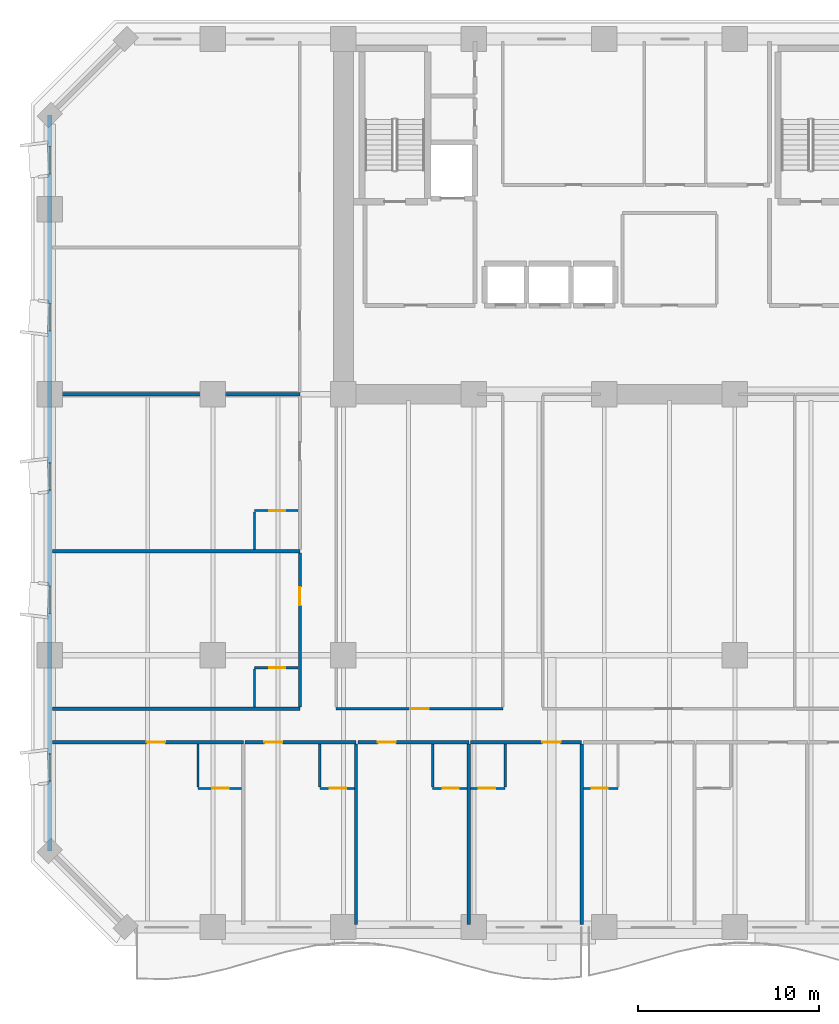
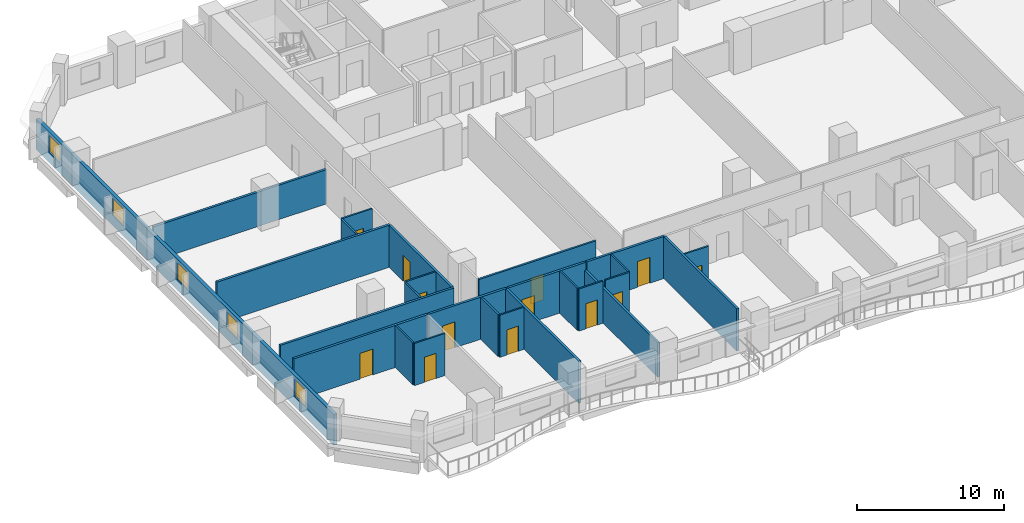
# One storey, part 4 of 15: 26 walls, 13 doors, 5 windows, 18 openings.
"""IFC4 building model written with IfcOpenShell, lengths in metres."""

import ifcopenshell
import ifcopenshell.guid

model = None  # the IFC model being written
_history = None  # IfcOwnerHistory: only IFC2X3 demands one
_inside = {}  # id of a spatial element -> (the spatial element, [elements in it])
_under = {}  # id of a project, library or spatial element -> (it, [spatial elements below it])
_declared = {}  # id of a project -> (the project, [libraries it declares])
_typed = {}  # id of a type object -> (the type object, [elements of that type])
_made_of = {}  # id of a material, layer set ... -> (it, [elements and type objects made of it])


def new_model(schema):
    """Start an empty IFC model of exactly this schema.

    Asked for "IFC4X3", IfcOpenShell would pick the latest addendum, in which some entities
    have other attributes; the version numbers below select the first issue.
    IFC2X3 requires an IfcOwnerHistory on every rooted entity: one is made here for all.
    """
    global model, _history
    if schema == "IFC4X3":
        model = ifcopenshell.file(schema_version=(4, 3, 0, 0))
    else:
        model = ifcopenshell.file(schema=schema)
    _inside.clear()
    _under.clear()
    _declared.clear()
    _typed.clear()
    _made_of.clear()
    _history = None
    if model.schema == "IFC2X3":
        org = make("IfcOrganization", Name="unknown")
        user = make(
            "IfcPersonAndOrganization",
            ThePerson=make("IfcPerson", FamilyName="unknown"),
            TheOrganization=org,
        )
        app = make(
            "IfcApplication",
            ApplicationDeveloper=org,
            Version="unknown",
            ApplicationFullName="unknown",
            ApplicationIdentifier="unknown",
        )
        _history = make(
            "IfcOwnerHistory",
            OwningUser=user,
            OwningApplication=app,
            ChangeAction="ADDED",
            CreationDate=0,
        )
    return model


def make(cls, **values):
    """One entity of the class cls with the attributes given. An attribute that is None is left unset."""
    return model.create_entity(
        cls, **{name: value for name, value in values.items() if value is not None}
    )


def rooted(cls, **values):
    """An entity with a GlobalId (a new one), such as an element, a storey or a relation."""
    return make(cls, GlobalId=ifcopenshell.guid.new(), OwnerHistory=_history, **values)


def si_unit(unit_type, name, prefix=None):
    """IfcSIUnit, for example si_unit("LENGTHUNIT", "METRE", prefix="MILLI")."""
    return make("IfcSIUnit", UnitType=unit_type, Prefix=prefix, Name=name)


def assignment(units):
    """IfcUnitAssignment: the units of a project."""
    return None if units is None else make("IfcUnitAssignment", Units=units)


def point(xyz):
    """IfcCartesianPoint."""
    return None if xyz is None else make("IfcCartesianPoint", Coordinates=xyz)


def direction(xyz):
    """IfcDirection."""
    return None if xyz is None else make("IfcDirection", DirectionRatios=xyz)


def frame(location, z_axis=None, x_axis=None):
    """IfcAxis2Placement3D, a coordinate frame: its origin and axes. An axis left out is left unset."""
    return make(
        "IfcAxis2Placement3D",
        Location=point(location),
        Axis=direction(z_axis),
        RefDirection=direction(x_axis),
    )


def frame_2d(location, x_axis=None):
    """IfcAxis2Placement2D, a coordinate frame in the plane: its origin and x axis."""
    return make(
        "IfcAxis2Placement2D", Location=point(location), RefDirection=direction(x_axis)
    )


def origin():
    """The frame at (0, 0, 0) with its axes left unset."""
    return frame((0.0, 0.0, 0.0))


def place(relative_to, where):
    """IfcLocalPlacement: puts the frame where relative to a parent placement (None: the world)."""
    return make(
        "IfcLocalPlacement", PlacementRelTo=relative_to, RelativePlacement=where
    )


def context(
    kind, dimensions, precision=None, world=None, true_north=None, identifier=None
):
    """IfcGeometricRepresentationContext, for example the 3D "Model" context."""
    return make(
        "IfcGeometricRepresentationContext",
        ContextIdentifier=identifier,
        ContextType=kind,
        CoordinateSpaceDimension=dimensions,
        Precision=precision,
        WorldCoordinateSystem=world,
        TrueNorth=true_north,
    )


def subcontext(parent, identifier, kind, view, scale=None):
    """IfcGeometricRepresentationSubContext, for example "Body" below "Model"."""
    return make(
        "IfcGeometricRepresentationSubContext",
        ContextIdentifier=identifier,
        ContextType=kind,
        ParentContext=parent,
        TargetScale=scale,
        TargetView=view,
    )


def project(units=None, contexts=None):
    """IfcProject with its units and contexts."""
    return rooted(
        "IfcProject",
        Name="project",
        RepresentationContexts=contexts,
        UnitsInContext=assignment(units),
    )


def spatial(cls, under=None, at=None, **own):
    """A site, building, storey or space (cls), placed at a placement, below another one or the project."""
    s = rooted(cls, ObjectPlacement=at, **own)
    if under is not None:
        _under.setdefault(under.id(), (under, []))[1].append(s)
    return s


def profile(cls, at=None, kind="AREA", **sizes):
    """A parametric profile (cls). Its sizes go by their IFC names, for example OverallWidth=200.0."""
    return make(cls, ProfileType=kind, Position=at, **sizes)


def rectangle(**sizes):
    """IfcRectangleProfileDef."""
    return profile("IfcRectangleProfileDef", **sizes)


def extrude(swept, where, along, depth):
    """IfcExtrudedAreaSolid: the profile swept, set in the frame where, extruded along a direction by depth."""
    return make(
        "IfcExtrudedAreaSolid",
        SweptArea=swept,
        Position=where,
        ExtrudedDirection=direction(along),
        Depth=depth,
    )


def shape(context_of_items, identifier, shape_type, items):
    """IfcShapeRepresentation: the items that make up one representation, for example the "Body"."""
    return make(
        "IfcShapeRepresentation",
        ContextOfItems=context_of_items,
        RepresentationIdentifier=identifier,
        RepresentationType=shape_type,
        Items=items,
    )


def material(Name=None, Category=None):
    """IfcMaterial."""
    return make("IfcMaterial", Name=Name, Category=Category)


def layer(
    of_material, thickness, ventilated=None, Name=None, Category=None, Priority=None
):
    """IfcMaterialLayer: one layer of a wall or slab, of a material (None: an air gap)."""
    return make(
        "IfcMaterialLayer",
        Material=of_material,
        LayerThickness=thickness,
        IsVentilated=ventilated,
        Name=Name,
        Category=Category,
        Priority=Priority,
    )


def layer_set(layers, Name=None):
    """IfcMaterialLayerSet."""
    return make("IfcMaterialLayerSet", MaterialLayers=layers, LayerSetName=Name)


def made_of(thing, what):
    """Note that an element or type object is made of a material, layer set ...; save() writes the relation."""
    if what is not None:
        _made_of.setdefault(what.id(), (what, []))[1].append(thing)
    return thing


def type_object(cls, material=None, **own):
    """A type object (cls), such as IfcWallType, which elements share."""
    return made_of(rooted(cls, **own), material)


def element(
    cls,
    number,
    at=None,
    inside=None,
    cuts=None,
    type_object=None,
    material=None,
    context=None,
    identifier="Body",
    shape_type=None,
    held_by="IfcProductDefinitionShape",
    body=None,
    shapes=None,
    **own,
):
    """One element of the class cls, such as IfcWall. Its Tag is "e" and its number.

    at: its placement. inside: the storey or other place that contains it. cuts: it is an
    opening in that element (IfcRelVoidsElement). A single representation is given by context,
    identifier, shape_type and body (its items); several are given by shapes. held_by: the class
    of the entity that holds the representations. save() writes the other relations.
    """
    e = rooted(cls, Tag="e%d" % number, ObjectPlacement=at, **own)
    if body is not None:
        shapes = [shape(context, identifier, shape_type, body)]
    if shapes is not None:
        e.Representation = make(held_by, Representations=shapes)
    if inside is not None:
        _inside.setdefault(inside.id(), (inside, []))[1].append(e)
    if cuts is not None:
        rooted(
            "IfcRelVoidsElement", RelatingBuildingElement=cuts, RelatedOpeningElement=e
        )
    if type_object is not None:
        _typed.setdefault(type_object.id(), (type_object, []))[1].append(e)
    return made_of(e, material)


def fill(opening, filler):
    """IfcRelFillsElement: the door or window that sits in an opening."""
    return rooted(
        "IfcRelFillsElement",
        RelatingOpeningElement=opening,
        RelatedBuildingElement=filler,
    )


def aggregate(whole, parts):
    """IfcRelAggregates: a whole, such as a stair, and the parts it consists of."""
    return rooted("IfcRelAggregates", RelatingObject=whole, RelatedObjects=parts)


def save(model, path):
    """Write the relations noted so far, then the file.

    IfcRelAggregates (storeys below a building ...), IfcRelContainedInSpatialStructure (elements
    in a storey), IfcRelDefinesByType, IfcRelAssociatesMaterial and IfcRelDeclares: one each for
    every whole, place, type object, material and project.
    """
    for whole, parts in _under.values():
        aggregate(whole, parts)
    for where, things in _inside.values():
        rooted(
            "IfcRelContainedInSpatialStructure",
            RelatedElements=things,
            RelatingStructure=where,
        )
    for kind, things in _typed.values():
        rooted("IfcRelDefinesByType", RelatedObjects=things, RelatingType=kind)
    for what, things in _made_of.values():
        rooted("IfcRelAssociatesMaterial", RelatedObjects=things, RelatingMaterial=what)
    for by, libraries in _declared.values():
        rooted("IfcRelDeclares", RelatingContext=by, RelatedDefinitions=libraries)
    model.write(path)


model = new_model("IFC4")

# Units and contexts
model_context = context("Model", 3, precision=1e-05, world=origin(), true_north=direction((0.0, 1.0)))
body_context = subcontext(model_context, "Body", "Model", "MODEL_VIEW")
ifc_project = project(units=[si_unit("LENGTHUNIT", "METRE"), si_unit("AREAUNIT", "SQUARE_METRE"), si_unit("VOLUMEUNIT", "CUBIC_METRE"), si_unit("PLANEANGLEUNIT", "RADIAN"), si_unit("MASSUNIT", "GRAM", prefix="KILO")], contexts=[model_context])

# Site, building, storey
site_placement = place(None, origin())
site = spatial("IfcSite", under=ifc_project, at=site_placement, CompositionType="ELEMENT")
building_placement = place(site_placement, origin())
building = spatial("IfcBuilding", under=site, at=building_placement, Name="Kaelvorn Grand Hotel", CompositionType="ELEMENT")
storey_placement = place(building_placement, frame((0.0, 0.0, 46.39990234375)))
storey = spatial("IfcBuildingStorey", under=building, at=storey_placement, Name="L09", CompositionType="ELEMENT", Elevation=46.39990234375)

# Wall, openings, windows
ifc_material_1 = material(Name="Concrete C40/50", Category="concrete")
ifc_layer_1 = layer(ifc_material_1, 0.260009765625)
ifc_layer_set_1 = layer_set([ifc_layer_1], Name="Concrete C40/50")
wall_type_1 = type_object("IfcWallType", Name="WL-EXT-260-C40", PredefinedType="SOLIDWALL", material=ifc_layer_set_1)
wall_1_placement = place(storey_placement, frame((0.0, 44.800048828125, 0.0), z_axis=(0.0, 0.0, 1.0), x_axis=(0.0, -1.0, 0.0)))
wall_1 = element("IfcWall", 1, at=wall_1_placement, inside=storey, type_object=wall_type_1, Name="L09 Exterior Architectural Concrete Wall 07", PredefinedType="SOLIDWALL", context=body_context, shape_type="SweptSolid", body=[
    extrude(rectangle(XDim=40.60009765625, YDim=0.260009765625, at=frame_2d((20.300048828125, 0.0))), origin(), (0.0, 0.0, 1.0), 2.56005859375),
])
opening_1_placement = place(wall_1_placement, frame((35.25, 0.0, 0.85009765625)))
opening_1 = element("IfcOpeningElement", 2, at=opening_1_placement, cuts=wall_1, Name="Opening W10", PredefinedType="OPENING", context=body_context, shape_type="SweptSolid", body=[
    extrude(rectangle(XDim=1.5, YDim=1.39990234375, at=frame_2d((0.75, 0.699951171875))), frame((0.0, 0.14013671875, 0.0), z_axis=(0.0, -1.0, 0.0), x_axis=(1.0, 0.0, 0.0)), (0.0, 0.0, 1.0), 0.280029296875),
])
opening_2_placement = place(wall_1_placement, frame((25.985107421875, 0.0, 0.85009765625)))
opening_2 = element("IfcOpeningElement", 3, at=opening_2_placement, cuts=wall_1, Name="Opening W10", PredefinedType="OPENING", context=body_context, shape_type="SweptSolid", body=[
    extrude(rectangle(XDim=1.5, YDim=1.39990234375, at=frame_2d((0.75, 0.699951171875))), frame((0.0, 0.14013671875, 0.0), z_axis=(0.0, -1.0, 0.0), x_axis=(1.0, 0.0, 0.0)), (0.0, 0.0, 1.0), 0.280029296875),
])
opening_3_placement = place(wall_1_placement, frame((19.18505859375, 0.0, 0.85009765625)))
opening_3 = element("IfcOpeningElement", 4, at=opening_3_placement, cuts=wall_1, Name="Opening W10", PredefinedType="OPENING", context=body_context, shape_type="SweptSolid", body=[
    extrude(rectangle(XDim=1.5, YDim=1.39990234375, at=frame_2d((0.75, 0.699951171875))), frame((0.0, 0.14013671875, 0.0), z_axis=(0.0, -1.0, 0.0), x_axis=(1.0, 0.0, 0.0)), (0.0, 0.0, 1.0), 0.280029296875),
])
opening_4_placement = place(wall_1_placement, frame((10.39990234375, 0.0, 0.85009765625)))
opening_4 = element("IfcOpeningElement", 5, at=opening_4_placement, cuts=wall_1, Name="Opening W10", PredefinedType="OPENING", context=body_context, shape_type="SweptSolid", body=[
    extrude(rectangle(XDim=1.5, YDim=1.39990234375, at=frame_2d((0.75, 0.699951171875))), frame((0.0, 0.14013671875, 0.0), z_axis=(0.0, -1.0, 0.0), x_axis=(1.0, 0.0, 0.0)), (0.0, 0.0, 1.0), 0.280029296875),
])
opening_5_placement = place(wall_1_placement, frame((1.735107421875, 0.0, 0.85009765625)))
opening_5 = element("IfcOpeningElement", 6, at=opening_5_placement, cuts=wall_1, Name="Opening W10", PredefinedType="OPENING", context=body_context, shape_type="SweptSolid", body=[
    extrude(rectangle(XDim=1.5, YDim=1.39990234375, at=frame_2d((0.75, 0.699951171875))), frame((0.0, 0.14013671875, 0.0), z_axis=(0.0, -1.0, 0.0), x_axis=(1.0, 0.0, 0.0)), (0.0, 0.0, 1.0), 0.280029296875),
])
ifc_material_2 = material(Name="Laminated Low-E Glass", Category="glass")
window_type = type_object("IfcWindowType", Name="WIN-COR-1500x1400", PartitioningType="SINGLE_PANEL", PredefinedType="WINDOW", material=ifc_material_2)
window_1_placement = place(opening_1_placement, origin())
window_1 = element("IfcWindow", 7, at=window_1_placement, inside=storey, type_object=window_type, Name="L09 W Wing Tilted-Frame Ribbon Window W01", OverallHeight=1.39990234375, OverallWidth=1.5, PartitioningType="SINGLE_PANEL", PredefinedType="WINDOW", context=body_context, shape_type="SweptSolid", body=[
    extrude(rectangle(XDim=1.5, YDim=1.39990234375, at=frame_2d((0.75, 0.699951171875))), frame((0.0, 0.030029296875, 0.0), z_axis=(0.0, -1.0, 0.0), x_axis=(1.0, 0.0, 0.0)), (0.0, 0.0, 1.0), 0.06005859375),
])
fill(opening_1, window_1)
window_2_placement = place(opening_2_placement, origin())
window_2 = element("IfcWindow", 8, at=window_2_placement, inside=storey, type_object=window_type, Name="L09 W Wing Tilted-Frame Ribbon Window W02", OverallHeight=1.39990234375, OverallWidth=1.5, PartitioningType="SINGLE_PANEL", PredefinedType="WINDOW", context=body_context, shape_type="SweptSolid", body=[
    extrude(rectangle(XDim=1.5, YDim=1.39990234375, at=frame_2d((0.75, 0.699951171875))), frame((0.0, 0.030029296875, 0.0), z_axis=(0.0, -1.0, 0.0), x_axis=(1.0, 0.0, 0.0)), (0.0, 0.0, 1.0), 0.06005859375),
])
fill(opening_2, window_2)
window_3_placement = place(opening_3_placement, origin())
window_3 = element("IfcWindow", 9, at=window_3_placement, inside=storey, type_object=window_type, Name="L09 W Wing Tilted-Frame Ribbon Window W03", OverallHeight=1.39990234375, OverallWidth=1.5, PartitioningType="SINGLE_PANEL", PredefinedType="WINDOW", context=body_context, shape_type="SweptSolid", body=[
    extrude(rectangle(XDim=1.5, YDim=1.39990234375, at=frame_2d((0.75, 0.699951171875))), frame((0.0, 0.030029296875, 0.0), z_axis=(0.0, -1.0, 0.0), x_axis=(1.0, 0.0, 0.0)), (0.0, 0.0, 1.0), 0.06005859375),
])
fill(opening_3, window_3)
window_4_placement = place(opening_4_placement, origin())
window_4 = element("IfcWindow", 10, at=window_4_placement, inside=storey, type_object=window_type, Name="L09 W Wing Tilted-Frame Ribbon Window W04", OverallHeight=1.39990234375, OverallWidth=1.5, PartitioningType="SINGLE_PANEL", PredefinedType="WINDOW", context=body_context, shape_type="SweptSolid", body=[
    extrude(rectangle(XDim=1.5, YDim=1.39990234375, at=frame_2d((0.75, 0.699951171875))), frame((0.0, 0.030029296875, 0.0), z_axis=(0.0, -1.0, 0.0), x_axis=(1.0, 0.0, 0.0)), (0.0, 0.0, 1.0), 0.06005859375),
])
fill(opening_4, window_4)
window_5_placement = place(opening_5_placement, origin())
window_5 = element("IfcWindow", 11, at=window_5_placement, inside=storey, type_object=window_type, Name="L09 W Wing Tilted-Frame Ribbon Window W05", OverallHeight=1.39990234375, OverallWidth=1.5, PartitioningType="SINGLE_PANEL", PredefinedType="WINDOW", context=body_context, shape_type="SweptSolid", body=[
    extrude(rectangle(XDim=1.5, YDim=1.39990234375, at=frame_2d((0.75, 0.699951171875))), frame((0.0, 0.030029296875, 0.0), z_axis=(0.0, -1.0, 0.0), x_axis=(1.0, 0.0, 0.0)), (0.0, 0.0, 1.0), 0.06005859375),
])
fill(opening_5, window_5)

# Wall, opening, door
ifc_material_3 = material(Name="Moisture-Resistant Tile & Stud Board")
ifc_layer_2 = layer(ifc_material_3, 0.125)
ifc_layer_set_2 = layer_set([ifc_layer_2], Name="Moisture-Resistant Tile & Stud Board")
wall_type_2 = type_object("IfcWallType", Name="WL-PART-125-WET", PredefinedType="PARTITIONING", material=ifc_layer_set_2)
wall_2_placement = place(storey_placement, frame((8.1748046875, 7.64990234375, 0.0), z_axis=(0.0, 0.0, 1.0), x_axis=(1.0, 0.0, 0.0)))
wall_2 = element("IfcWall", 12, at=wall_2_placement, inside=storey, type_object=wall_type_2, Name="L09 En-suite Bathroom L09-01 S Partition", PredefinedType="PARTITIONING", context=body_context, shape_type="SweptSolid", body=[
    extrude(rectangle(XDim=2.405029296875, YDim=0.125, at=frame_2d((1.20263671875, 0.0))), origin(), (0.0, 0.0, 1.0), 3.510009765625),
])
opening_6_placement = place(wall_2_placement, frame((0.800048828125, 0.0, 0.0)))
opening_6 = element("IfcOpeningElement", 13, at=opening_6_placement, cuts=wall_2, Name="Opening DI4", PredefinedType="OPENING", context=body_context, shape_type="SweptSolid", body=[
    extrude(rectangle(XDim=0.89990234375, YDim=2.10009765625, at=frame_2d((0.449951171875, 1.050048828125))), frame((0.0, 0.072509765625, 0.0), z_axis=(0.0, -1.0, 0.0), x_axis=(1.0, 0.0, 0.0)), (0.0, 0.0, 1.0), 0.14501953125),
])
ifc_material_4 = material(Name="Timber Veneer Leaf", Category="wood")
door_type_1 = type_object("IfcDoorType", Name="DR-INT-BATH-900x2100", OperationType="NOTDEFINED", PredefinedType="DOOR", material=ifc_material_4)
door_1_placement = place(opening_6_placement, origin())
door_1 = element("IfcDoor", 14, at=door_1_placement, inside=storey, type_object=door_type_1, Name="L09 En-suite Bathroom L09-01 Door", OperationType="SINGLE_SWING_RIGHT", OverallHeight=2.10009765625, OverallWidth=0.89990234375, PredefinedType="DOOR", context=body_context, shape_type="SweptSolid", body=[
    extrude(rectangle(XDim=0.89990234375, YDim=2.10009765625, at=frame_2d((0.449951171875, 1.050048828125))), frame((0.0, 0.02490234375, 0.0), z_axis=(0.0, -1.0, 0.0), x_axis=(1.0, 0.0, 0.0)), (0.0, 0.0, 1.0), 0.050048828125),
])
fill(opening_6, door_1)

# Wall
wall_3_placement = place(storey_placement, frame((8.1748046875, 7.717529296875, 0.0), z_axis=(0.0, 0.0, 1.0), x_axis=(0.0, 1.0, 0.0)))
element("IfcWall", 15, at=wall_3_placement, inside=storey, type_object=wall_type_2, Name="L09 En-suite Bathroom L09-01 W Partition", PredefinedType="PARTITIONING", context=body_context, shape_type="SweptSolid", body=[
    extrude(rectangle(XDim=2.387451171875, YDim=0.125, at=frame_2d((1.19384765625, 0.0))), origin(), (0.0, 0.0, 1.0), 3.510009765625),
])

# Wall, opening, door
wall_4_placement = place(storey_placement, frame((14.899658203125, 7.64990234375, 0.0), z_axis=(0.0, 0.0, 1.0), x_axis=(1.0, 0.0, 0.0)))
wall_4 = element("IfcWall", 16, at=wall_4_placement, inside=storey, type_object=wall_type_2, Name="L09 En-suite Bathroom L09-02 S Partition", PredefinedType="PARTITIONING", context=body_context, shape_type="SweptSolid", body=[
    extrude(rectangle(XDim=1.905029296875, YDim=0.125, at=frame_2d((0.95263671875, 0.0))), origin(), (0.0, 0.0, 1.0), 3.510009765625),
])
opening_7_placement = place(wall_4_placement, frame((0.550048828125, 0.0, 0.0)))
opening_7 = element("IfcOpeningElement", 17, at=opening_7_placement, cuts=wall_4, Name="Opening DI4", PredefinedType="OPENING", context=body_context, shape_type="SweptSolid", body=[
    extrude(rectangle(XDim=0.89990234375, YDim=2.10009765625, at=frame_2d((0.449951171875, 1.050048828125))), frame((0.0, 0.072509765625, 0.0), z_axis=(0.0, -1.0, 0.0), x_axis=(1.0, 0.0, 0.0)), (0.0, 0.0, 1.0), 0.14501953125),
])
door_2_placement = place(opening_7_placement, origin())
door_2 = element("IfcDoor", 18, at=door_2_placement, inside=storey, type_object=door_type_1, Name="L09 En-suite Bathroom L09-02 Door", OperationType="SINGLE_SWING_RIGHT", OverallHeight=2.10009765625, OverallWidth=0.89990234375, PredefinedType="DOOR", context=body_context, shape_type="SweptSolid", body=[
    extrude(rectangle(XDim=0.89990234375, YDim=2.10009765625, at=frame_2d((0.449951171875, 1.050048828125))), frame((0.0, 0.02490234375, 0.0), z_axis=(0.0, -1.0, 0.0), x_axis=(1.0, 0.0, 0.0)), (0.0, 0.0, 1.0), 0.050048828125),
])
fill(opening_7, door_2)

# Wall
wall_5_placement = place(storey_placement, frame((14.899658203125, 7.717529296875, 0.0), z_axis=(0.0, 0.0, 1.0), x_axis=(0.0, 1.0, 0.0)))
element("IfcWall", 19, at=wall_5_placement, inside=storey, type_object=wall_type_2, Name="L09 En-suite Bathroom L09-02 W Partition", PredefinedType="PARTITIONING", context=body_context, shape_type="SweptSolid", body=[
    extrude(rectangle(XDim=2.387451171875, YDim=0.125, at=frame_2d((1.19384765625, 0.0))), origin(), (0.0, 0.0, 1.0), 3.510009765625),
])

# Wall, opening, door
wall_6_placement = place(storey_placement, frame((21.12451171875, 7.64990234375, 0.0), z_axis=(0.0, 0.0, 1.0), x_axis=(1.0, 0.0, 0.0)))
wall_6 = element("IfcWall", 20, at=wall_6_placement, inside=storey, type_object=wall_type_2, Name="L09 En-suite Bathroom L09-03 S Partition", PredefinedType="PARTITIONING", context=body_context, shape_type="SweptSolid", body=[
    extrude(rectangle(XDim=1.905029296875, YDim=0.125, at=frame_2d((0.95263671875, 0.0))), origin(), (0.0, 0.0, 1.0), 3.510009765625),
])
opening_8_placement = place(wall_6_placement, frame((0.550048828125, 0.0, 0.0)))
opening_8 = element("IfcOpeningElement", 21, at=opening_8_placement, cuts=wall_6, Name="Opening DI4", PredefinedType="OPENING", context=body_context, shape_type="SweptSolid", body=[
    extrude(rectangle(XDim=0.89990234375, YDim=2.10009765625, at=frame_2d((0.449951171875, 1.050048828125))), frame((0.0, 0.072509765625, 0.0), z_axis=(0.0, -1.0, 0.0), x_axis=(1.0, 0.0, 0.0)), (0.0, 0.0, 1.0), 0.14501953125),
])
door_3_placement = place(opening_8_placement, origin())
door_3 = element("IfcDoor", 22, at=door_3_placement, inside=storey, type_object=door_type_1, Name="L09 En-suite Bathroom L09-03 Door", OperationType="SINGLE_SWING_RIGHT", OverallHeight=2.10009765625, OverallWidth=0.89990234375, PredefinedType="DOOR", context=body_context, shape_type="SweptSolid", body=[
    extrude(rectangle(XDim=0.89990234375, YDim=2.10009765625, at=frame_2d((0.449951171875, 1.050048828125))), frame((0.0, 0.02490234375, 0.0), z_axis=(0.0, -1.0, 0.0), x_axis=(1.0, 0.0, 0.0)), (0.0, 0.0, 1.0), 0.050048828125),
])
fill(opening_8, door_3)

# Wall
wall_7_placement = place(storey_placement, frame((21.12451171875, 7.717529296875, 0.0), z_axis=(0.0, 0.0, 1.0), x_axis=(0.0, 1.0, 0.0)))
element("IfcWall", 23, at=wall_7_placement, inside=storey, type_object=wall_type_2, Name="L09 En-suite Bathroom L09-03 W Partition", PredefinedType="PARTITIONING", context=body_context, shape_type="SweptSolid", body=[
    extrude(rectangle(XDim=2.387451171875, YDim=0.125, at=frame_2d((1.19384765625, 0.0))), origin(), (0.0, 0.0, 1.0), 3.510009765625),
])

# Wall, opening, door
wall_8_placement = place(storey_placement, frame((23.219482421875, 7.64990234375, 0.0), z_axis=(0.0, 0.0, 1.0), x_axis=(1.0, 0.0, 0.0)))
wall_8 = element("IfcWall", 24, at=wall_8_placement, inside=storey, type_object=wall_type_2, Name="L09 En-suite Bathroom L09-04 S Partition", PredefinedType="PARTITIONING", context=body_context, shape_type="SweptSolid", body=[
    extrude(rectangle(XDim=1.905029296875, YDim=0.125, at=frame_2d((0.95263671875, 0.0))), origin(), (0.0, 0.0, 1.0), 3.510009765625),
])
opening_9_placement = place(wall_8_placement, frame((0.455078125, 0.0, 0.0)))
opening_9 = element("IfcOpeningElement", 25, at=opening_9_placement, cuts=wall_8, Name="Opening DI4", PredefinedType="OPENING", context=body_context, shape_type="SweptSolid", body=[
    extrude(rectangle(XDim=0.89990234375, YDim=2.10009765625, at=frame_2d((0.449951171875, 1.050048828125))), frame((0.0, 0.072509765625, 0.0), z_axis=(0.0, -1.0, 0.0), x_axis=(1.0, 0.0, 0.0)), (0.0, 0.0, 1.0), 0.14501953125),
])
door_4_placement = place(opening_9_placement, origin())
door_4 = element("IfcDoor", 26, at=door_4_placement, inside=storey, type_object=door_type_1, Name="L09 En-suite Bathroom L09-04 Door", OperationType="SINGLE_SWING_RIGHT", OverallHeight=2.10009765625, OverallWidth=0.89990234375, PredefinedType="DOOR", context=body_context, shape_type="SweptSolid", body=[
    extrude(rectangle(XDim=0.89990234375, YDim=2.10009765625, at=frame_2d((0.449951171875, 1.050048828125))), frame((0.0, 0.02490234375, 0.0), z_axis=(0.0, -1.0, 0.0), x_axis=(1.0, 0.0, 0.0)), (0.0, 0.0, 1.0), 0.050048828125),
])
fill(opening_9, door_4)

# Wall
wall_9_placement = place(storey_placement, frame((25.12451171875, 7.717529296875, 0.0), z_axis=(0.0, 0.0, 1.0), x_axis=(0.0, 1.0, 0.0)))
element("IfcWall", 27, at=wall_9_placement, inside=storey, type_object=wall_type_2, Name="L09 En-suite Bathroom L09-04 E Partition", PredefinedType="PARTITIONING", context=body_context, shape_type="SweptSolid", body=[
    extrude(rectangle(XDim=2.387451171875, YDim=0.125, at=frame_2d((1.19384765625, 0.0))), origin(), (0.0, 0.0, 1.0), 3.510009765625),
])

# Wall, opening, door
wall_10_placement = place(storey_placement, frame((29.444580078125, 7.64990234375, 0.0), z_axis=(0.0, 0.0, 1.0), x_axis=(1.0, 0.0, 0.0)))
wall_10 = element("IfcWall", 28, at=wall_10_placement, inside=storey, type_object=wall_type_2, Name="L09 En-suite Bathroom L09-05 S Partition", PredefinedType="PARTITIONING", context=body_context, shape_type="SweptSolid", body=[
    extrude(rectangle(XDim=1.905029296875, YDim=0.125, at=frame_2d((0.95263671875, 0.0))), origin(), (0.0, 0.0, 1.0), 3.510009765625),
])
opening_10_placement = place(wall_10_placement, frame((0.455078125, 0.0, 0.0)))
opening_10 = element("IfcOpeningElement", 29, at=opening_10_placement, cuts=wall_10, Name="Opening DI4", PredefinedType="OPENING", context=body_context, shape_type="SweptSolid", body=[
    extrude(rectangle(XDim=0.89990234375, YDim=2.10009765625, at=frame_2d((0.449951171875, 1.050048828125))), frame((0.0, 0.072509765625, 0.0), z_axis=(0.0, -1.0, 0.0), x_axis=(1.0, 0.0, 0.0)), (0.0, 0.0, 1.0), 0.14501953125),
])
door_5_placement = place(opening_10_placement, origin())
door_5 = element("IfcDoor", 30, at=door_5_placement, inside=storey, type_object=door_type_1, Name="L09 En-suite Bathroom L09-05 Door", OperationType="SINGLE_SWING_RIGHT", OverallHeight=2.10009765625, OverallWidth=0.89990234375, PredefinedType="DOOR", context=body_context, shape_type="SweptSolid", body=[
    extrude(rectangle(XDim=0.89990234375, YDim=2.10009765625, at=frame_2d((0.449951171875, 1.050048828125))), frame((0.0, 0.02490234375, 0.0), z_axis=(0.0, -1.0, 0.0), x_axis=(1.0, 0.0, 0.0)), (0.0, 0.0, 1.0), 0.050048828125),
])
fill(opening_10, door_5)

wall_11_placement = place(storey_placement, frame((11.300048828125, 14.31005859375, 0.0), z_axis=(0.0, 0.0, 1.0), x_axis=(1.0, 0.0, 0.0)))
wall_11 = element("IfcWall", 31, at=wall_11_placement, inside=storey, type_object=wall_type_2, Name="L09 En-suite Bathroom L09-13 N Partition", PredefinedType="PARTITIONING", context=body_context, shape_type="SweptSolid", body=[
    extrude(rectangle(XDim=2.405029296875, YDim=0.125, at=frame_2d((1.20263671875, 0.0))), origin(), (0.0, 0.0, 1.0), 3.510009765625),
])
opening_11_placement = place(wall_11_placement, frame((0.800048828125, 0.0, 0.0)))
opening_11 = element("IfcOpeningElement", 32, at=opening_11_placement, cuts=wall_11, Name="Opening DI4", PredefinedType="OPENING", context=body_context, shape_type="SweptSolid", body=[
    extrude(rectangle(XDim=0.89990234375, YDim=2.10009765625, at=frame_2d((0.449951171875, 1.050048828125))), frame((0.0, 0.072509765625, 0.0), z_axis=(0.0, -1.0, 0.0), x_axis=(1.0, 0.0, 0.0)), (0.0, 0.0, 1.0), 0.14501953125),
])
door_6_placement = place(opening_11_placement, origin())
door_6 = element("IfcDoor", 33, at=door_6_placement, inside=storey, type_object=door_type_1, Name="L09 En-suite Bathroom L09-13 Door", OperationType="SINGLE_SWING_RIGHT", OverallHeight=2.10009765625, OverallWidth=0.89990234375, PredefinedType="DOOR", context=body_context, shape_type="SweptSolid", body=[
    extrude(rectangle(XDim=0.89990234375, YDim=2.10009765625, at=frame_2d((0.449951171875, 1.050048828125))), frame((0.0, 0.02490234375, 0.0), z_axis=(0.0, -1.0, 0.0), x_axis=(1.0, 0.0, 0.0)), (0.0, 0.0, 1.0), 0.050048828125),
])
fill(opening_11, door_6)

# Wall
wall_12_placement = place(storey_placement, frame((11.300048828125, 12.14501953125, 0.0), z_axis=(0.0, 0.0, 1.0), x_axis=(0.0, 1.0, 0.0)))
element("IfcWall", 34, at=wall_12_placement, inside=storey, type_object=wall_type_2, Name="L09 En-suite Bathroom L09-13 W Partition", PredefinedType="PARTITIONING", context=body_context, shape_type="SweptSolid", body=[
    extrude(rectangle(XDim=2.097412109375, YDim=0.125, at=frame_2d((1.048828125, 0.0))), origin(), (0.0, 0.0, 1.0), 3.510009765625),
])

# Wall, opening, door
wall_13_placement = place(storey_placement, frame((11.300048828125, 22.97998046875, 0.0), z_axis=(0.0, 0.0, 1.0), x_axis=(1.0, 0.0, 0.0)))
wall_13 = element("IfcWall", 35, at=wall_13_placement, inside=storey, type_object=wall_type_2, Name="L09 En-suite Bathroom L09-14 N Partition", PredefinedType="PARTITIONING", context=body_context, shape_type="SweptSolid", body=[
    extrude(rectangle(XDim=2.405029296875, YDim=0.125, at=frame_2d((1.20263671875, 0.0))), origin(), (0.0, 0.0, 1.0), 3.510009765625),
])
opening_12_placement = place(wall_13_placement, frame((0.800048828125, 0.0, 0.0)))
opening_12 = element("IfcOpeningElement", 36, at=opening_12_placement, cuts=wall_13, Name="Opening DI4", PredefinedType="OPENING", context=body_context, shape_type="SweptSolid", body=[
    extrude(rectangle(XDim=0.89990234375, YDim=2.10009765625, at=frame_2d((0.449951171875, 1.050048828125))), frame((0.0, 0.072509765625, 0.0), z_axis=(0.0, -1.0, 0.0), x_axis=(1.0, 0.0, 0.0)), (0.0, 0.0, 1.0), 0.14501953125),
])
door_7_placement = place(opening_12_placement, origin())
door_7 = element("IfcDoor", 37, at=door_7_placement, inside=storey, type_object=door_type_1, Name="L09 En-suite Bathroom L09-14 Door", OperationType="SINGLE_SWING_RIGHT", OverallHeight=2.10009765625, OverallWidth=0.89990234375, PredefinedType="DOOR", context=body_context, shape_type="SweptSolid", body=[
    extrude(rectangle(XDim=0.89990234375, YDim=2.10009765625, at=frame_2d((0.449951171875, 1.050048828125))), frame((0.0, 0.02490234375, 0.0), z_axis=(0.0, -1.0, 0.0), x_axis=(1.0, 0.0, 0.0)), (0.0, 0.0, 1.0), 0.050048828125),
])
fill(opening_12, door_7)

# Wall
wall_14_placement = place(storey_placement, frame((11.300048828125, 20.824951171875, 0.0), z_axis=(0.0, 0.0, 1.0), x_axis=(0.0, 1.0, 0.0)))
element("IfcWall", 38, at=wall_14_placement, inside=storey, type_object=wall_type_2, Name="L09 En-suite Bathroom L09-14 W Partition", PredefinedType="PARTITIONING", context=body_context, shape_type="SweptSolid", body=[
    extrude(rectangle(XDim=2.087646484375, YDim=0.125, at=frame_2d((1.0439453125, 0.0))), origin(), (0.0, 0.0, 1.0), 3.510009765625),
])

# Wall, opening, door
ifc_material_5 = material(Name="Acoustic Gypsum & Stud Partition")
ifc_layer_3 = layer(ifc_material_5, 0.14990234375)
ifc_layer_set_3 = layer_set([ifc_layer_3], Name="Acoustic Gypsum & Stud Partition")
wall_type_3 = type_object("IfcWallType", Name="WL-PART-150-EI60", PredefinedType="PARTITIONING", material=ifc_layer_set_3)
wall_15_placement = place(storey_placement, frame((15.800048828125, 12.050048828125, 0.0), z_axis=(0.0, 0.0, 1.0), x_axis=(1.0, 0.0, 0.0)))
wall_15 = element("IfcWall", 39, at=wall_15_placement, inside=storey, type_object=wall_type_3, Name="L09 Private Dining Restaurant S Partition", PredefinedType="PARTITIONING", context=body_context, shape_type="SweptSolid", body=[
    extrude(rectangle(XDim=9.199951171875, YDim=0.14990234375, at=frame_2d((4.60009765625, 0.0))), origin(), (0.0, 0.0, 1.0), 3.510009765625),
])
opening_13_placement = place(wall_15_placement, frame((4.10009765625, 0.0, 0.0)))
opening_13 = element("IfcOpeningElement", 40, at=opening_13_placement, cuts=wall_15, Name="Opening DI3", PredefinedType="OPENING", context=body_context, shape_type="SweptSolid", body=[
    extrude(rectangle(XDim=1.0, YDim=2.14990234375, at=frame_2d((0.5, 1.074951171875))), frame((0.0, 0.0849609375, 0.0), z_axis=(0.0, -1.0, 0.0), x_axis=(1.0, 0.0, 0.0)), (0.0, 0.0, 1.0), 0.169921875),
])
ifc_material_6 = material(Name="Timber Veneer Fire Leaf", Category="wood")
door_type_2 = type_object("IfcDoorType", Name="DR-INT-GUEST-1000x2150", OperationType="NOTDEFINED", PredefinedType="DOOR", material=ifc_material_6)
door_8_placement = place(opening_13_placement, origin())
door_8 = element("IfcDoor", 41, at=door_8_placement, inside=storey, type_object=door_type_2, Name="L09 Private Dining Restaurant Door", OperationType="SINGLE_SWING_LEFT", OverallHeight=2.14990234375, OverallWidth=1.0, PredefinedType="DOOR", context=body_context, shape_type="SweptSolid", body=[
    extrude(rectangle(XDim=1.0, YDim=2.14990234375, at=frame_2d((0.5, 1.074951171875))), frame((0.0, 0.02490234375, 0.0), z_axis=(0.0, -1.0, 0.0), x_axis=(1.0, 0.0, 0.0)), (0.0, 0.0, 1.0), 0.050048828125),
])
fill(opening_13, door_8)

ifc_layer_4 = layer(ifc_material_5, 0.179931640625)
ifc_layer_set_4 = layer_set([ifc_layer_4], Name="Acoustic Gypsum & Stud Partition")
wall_type_4 = type_object("IfcWallType", Name="WL-PART-180-EI60", PredefinedType="PARTITIONING", material=ifc_layer_set_4)
wall_16_placement = place(storey_placement, frame((0.14990234375, 10.199951171875, 0.0), z_axis=(0.0, 0.0, 1.0), x_axis=(1.0, 0.0, 0.0)))
wall_16 = element("IfcWall", 42, at=wall_16_placement, inside=storey, type_object=wall_type_4, Name="L09 Deluxe Panoramic Suite L09-01 N Partition", PredefinedType="PARTITIONING", context=body_context, shape_type="SweptSolid", body=[
    extrude(rectangle(XDim=10.52490234375, YDim=0.179931640625, at=frame_2d((5.262451171875, 0.0))), origin(), (0.0, 0.0, 1.0), 3.510009765625),
])
opening_14_placement = place(wall_16_placement, frame((5.21240234375, 0.0, 0.0)))
opening_14 = element("IfcOpeningElement", 43, at=opening_14_placement, cuts=wall_16, Name="Opening DI3", PredefinedType="OPENING", context=body_context, shape_type="SweptSolid", body=[
    extrude(rectangle(XDim=1.0, YDim=2.14990234375, at=frame_2d((0.5, 1.074951171875))), frame((0.0, 0.10009765625, 0.0), z_axis=(0.0, -1.0, 0.0), x_axis=(1.0, 0.0, 0.0)), (0.0, 0.0, 1.0), 0.199951171875),
])
door_9_placement = place(opening_14_placement, origin())
door_9 = element("IfcDoor", 44, at=door_9_placement, inside=storey, type_object=door_type_2, Name="L09 Deluxe Panoramic Suite L09-01 Door", OperationType="SINGLE_SWING_LEFT", OverallHeight=2.14990234375, OverallWidth=1.0, PredefinedType="DOOR", context=body_context, shape_type="SweptSolid", body=[
    extrude(rectangle(XDim=1.0, YDim=2.14990234375, at=frame_2d((0.5, 1.074951171875))), frame((0.0, 0.02490234375, 0.0), z_axis=(0.0, -1.0, 0.0), x_axis=(1.0, 0.0, 0.0)), (0.0, 0.0, 1.0), 0.050048828125),
])
fill(opening_14, door_9)

wall_17_placement = place(storey_placement, frame((10.77001953125, 10.199951171875, 0.0), z_axis=(0.0, 0.0, 1.0), x_axis=(1.0, 0.0, 0.0)))
wall_17 = element("IfcWall", 45, at=wall_17_placement, inside=storey, type_object=wall_type_4, Name="L09 Deluxe King Guest Room L09-02 N Partition", PredefinedType="PARTITIONING", context=body_context, shape_type="SweptSolid", body=[
    extrude(rectangle(XDim=6.129638671875, YDim=0.179931640625, at=frame_2d((3.06494140625, 0.0))), origin(), (0.0, 0.0, 1.0), 3.510009765625),
])
opening_15_placement = place(wall_17_placement, frame((1.0673828125, 0.0, 0.0)))
opening_15 = element("IfcOpeningElement", 46, at=opening_15_placement, cuts=wall_17, Name="Opening DI3", PredefinedType="OPENING", context=body_context, shape_type="SweptSolid", body=[
    extrude(rectangle(XDim=1.0, YDim=2.14990234375, at=frame_2d((0.5, 1.074951171875))), frame((0.0, 0.10009765625, 0.0), z_axis=(0.0, -1.0, 0.0), x_axis=(1.0, 0.0, 0.0)), (0.0, 0.0, 1.0), 0.199951171875),
])
door_10_placement = place(opening_15_placement, origin())
door_10 = element("IfcDoor", 47, at=door_10_placement, inside=storey, type_object=door_type_2, Name="L09 Deluxe King Guest Room L09-02 Door", OperationType="SINGLE_SWING_LEFT", OverallHeight=2.14990234375, OverallWidth=1.0, PredefinedType="DOOR", context=body_context, shape_type="SweptSolid", body=[
    extrude(rectangle(XDim=1.0, YDim=2.14990234375, at=frame_2d((0.5, 1.074951171875))), frame((0.0, 0.02490234375, 0.0), z_axis=(0.0, -1.0, 0.0), x_axis=(1.0, 0.0, 0.0)), (0.0, 0.0, 1.0), 0.050048828125),
])
fill(opening_15, door_10)

# Wall
wall_18_placement = place(storey_placement, frame((16.899658203125, 0.14990234375, 0.0), z_axis=(0.0, 0.0, 1.0), x_axis=(0.0, 1.0, 0.0)))
element("IfcWall", 48, at=wall_18_placement, inside=storey, type_object=wall_type_4, Name="L09 Deluxe King Guest Room L09-02 E Partition", PredefinedType="PARTITIONING", context=body_context, shape_type="SweptSolid", body=[
    extrude(rectangle(XDim=9.955078125, YDim=0.179931640625, at=frame_2d((4.9775390625, 0.0))), origin(), (0.0, 0.0, 1.0), 3.510009765625),
])

# Wall, opening, door
wall_19_placement = place(storey_placement, frame((16.99462890625, 10.199951171875, 0.0), z_axis=(0.0, 0.0, 1.0), x_axis=(1.0, 0.0, 0.0)))
wall_19 = element("IfcWall", 49, at=wall_19_placement, inside=storey, type_object=wall_type_4, Name="L09 Deluxe Panoramic Suite L09-03 N Partition", PredefinedType="PARTITIONING", context=body_context, shape_type="SweptSolid", body=[
    extrude(rectangle(XDim=6.1298828125, YDim=0.179931640625, at=frame_2d((3.06494140625, 0.0))), origin(), (0.0, 0.0, 1.0), 3.510009765625),
])
opening_16_placement = place(wall_19_placement, frame((1.107666015625, 0.0, 0.0)))
opening_16 = element("IfcOpeningElement", 50, at=opening_16_placement, cuts=wall_19, Name="Opening DI3", PredefinedType="OPENING", context=body_context, shape_type="SweptSolid", body=[
    extrude(rectangle(XDim=1.0, YDim=2.14990234375, at=frame_2d((0.5, 1.074951171875))), frame((0.0, 0.10009765625, 0.0), z_axis=(0.0, -1.0, 0.0), x_axis=(1.0, 0.0, 0.0)), (0.0, 0.0, 1.0), 0.199951171875),
])
door_11_placement = place(opening_16_placement, origin())
door_11 = element("IfcDoor", 51, at=door_11_placement, inside=storey, type_object=door_type_2, Name="L09 Deluxe Panoramic Suite L09-03 Door", OperationType="SINGLE_SWING_LEFT", OverallHeight=2.14990234375, OverallWidth=1.0, PredefinedType="DOOR", context=body_context, shape_type="SweptSolid", body=[
    extrude(rectangle(XDim=1.0, YDim=2.14990234375, at=frame_2d((0.5, 1.074951171875))), frame((0.0, 0.02490234375, 0.0), z_axis=(0.0, -1.0, 0.0), x_axis=(1.0, 0.0, 0.0)), (0.0, 0.0, 1.0), 0.050048828125),
])
fill(opening_16, door_11)

# Wall
wall_20_placement = place(storey_placement, frame((23.12451171875, 0.14990234375, 0.0), z_axis=(0.0, 0.0, 1.0), x_axis=(0.0, 1.0, 0.0)))
element("IfcWall", 52, at=wall_20_placement, inside=storey, type_object=wall_type_4, Name="L09 Deluxe Panoramic Suite L09-03 E Partition", PredefinedType="PARTITIONING", context=body_context, shape_type="SweptSolid", body=[
    extrude(rectangle(XDim=9.955078125, YDim=0.179931640625, at=frame_2d((4.9775390625, 0.0))), origin(), (0.0, 0.0, 1.0), 2.880126953125),
])

# Wall, opening, door
wall_21_placement = place(storey_placement, frame((23.219482421875, 10.199951171875, 0.0), z_axis=(0.0, 0.0, 1.0), x_axis=(1.0, 0.0, 0.0)))
wall_21 = element("IfcWall", 53, at=wall_21_placement, inside=storey, type_object=wall_type_4, Name="L09 Deluxe King Guest Room L09-04 N Partition", PredefinedType="PARTITIONING", context=body_context, shape_type="SweptSolid", body=[
    extrude(rectangle(XDim=6.130126953125, YDim=0.179931640625, at=frame_2d((3.06494140625, 0.0))), origin(), (0.0, 0.0, 1.0), 3.510009765625),
])
opening_17_placement = place(wall_21_placement, frame((3.96728515625, 0.0, 0.0)))
opening_17 = element("IfcOpeningElement", 54, at=opening_17_placement, cuts=wall_21, Name="Opening DI3", PredefinedType="OPENING", context=body_context, shape_type="SweptSolid", body=[
    extrude(rectangle(XDim=1.0, YDim=2.14990234375, at=frame_2d((0.5, 1.074951171875))), frame((0.0, 0.10009765625, 0.0), z_axis=(0.0, -1.0, 0.0), x_axis=(1.0, 0.0, 0.0)), (0.0, 0.0, 1.0), 0.199951171875),
])
door_12_placement = place(opening_17_placement, origin())
door_12 = element("IfcDoor", 55, at=door_12_placement, inside=storey, type_object=door_type_2, Name="L09 Deluxe King Guest Room L09-04 Door", OperationType="SINGLE_SWING_LEFT", OverallHeight=2.14990234375, OverallWidth=1.0, PredefinedType="DOOR", context=body_context, shape_type="SweptSolid", body=[
    extrude(rectangle(XDim=1.0, YDim=2.14990234375, at=frame_2d((0.5, 1.074951171875))), frame((0.0, 0.02490234375, 0.0), z_axis=(0.0, -1.0, 0.0), x_axis=(1.0, 0.0, 0.0)), (0.0, 0.0, 1.0), 0.050048828125),
])
fill(opening_17, door_12)

# Walls
wall_22_placement = place(storey_placement, frame((29.349609375, 0.14990234375, 0.0), z_axis=(0.0, 0.0, 1.0), x_axis=(0.0, 1.0, 0.0)))
element("IfcWall", 56, at=wall_22_placement, inside=storey, type_object=wall_type_4, Name="L09 Deluxe King Guest Room L09-04 E Partition", PredefinedType="PARTITIONING", context=body_context, shape_type="SweptSolid", body=[
    extrude(rectangle(XDim=9.955078125, YDim=0.179931640625, at=frame_2d((4.9775390625, 0.0))), origin(), (0.0, 0.0, 1.0), 3.510009765625),
])
for number, where, z_axis, x_axis, name in (
    (57, (0.14990234375, 12.050048828125, 0.0), (0.0, 0.0, 1.0), (1.0, 0.0, 0.0), "L09 West Wing Panoramic Suite L09-13 S Partition"),
    (58, (0.14990234375, 20.72998046875, 0.0), (0.0, 0.0, 1.0), (1.0, 0.0, 0.0), "L09 West Wing Panoramic Suite L09-13 N Partition"),
):
    element("IfcWall", number, at=place(storey_placement, frame(where, z_axis=z_axis, x_axis=x_axis)), inside=storey, type_object=wall_type_4, Name=name, PredefinedType="PARTITIONING", context=body_context, shape_type="SweptSolid", body=[
        extrude(rectangle(XDim=13.650146484375, YDim=0.179931640625, at=frame_2d((6.8251953125, 0.0))), origin(), (0.0, 0.0, 1.0), 3.510009765625),
    ])

# Wall, opening, door
wall_23_placement = place(storey_placement, frame((13.800048828125, 12.14501953125, 0.0), z_axis=(0.0, 0.0, 1.0), x_axis=(0.0, 1.0, 0.0)))
wall_23 = element("IfcWall", 59, at=wall_23_placement, inside=storey, type_object=wall_type_4, Name="L09 West Wing Panoramic Suite L09-13 E Partition", PredefinedType="PARTITIONING", context=body_context, shape_type="SweptSolid", body=[
    extrude(rectangle(XDim=8.489990234375, YDim=0.179931640625, at=frame_2d((4.2451171875, 0.0))), origin(), (0.0, 0.0, 1.0), 3.510009765625),
])
opening_18_placement = place(wall_23_placement, frame((5.610107421875, 0.0, 0.0)))
opening_18 = element("IfcOpeningElement", 60, at=opening_18_placement, cuts=wall_23, Name="Opening DI3", PredefinedType="OPENING", context=body_context, shape_type="SweptSolid", body=[
    extrude(rectangle(XDim=1.0, YDim=2.14990234375, at=frame_2d((0.5, 1.074951171875))), frame((0.0, 0.10009765625, 0.0), z_axis=(0.0, -1.0, 0.0), x_axis=(1.0, 0.0, 0.0)), (0.0, 0.0, 1.0), 0.199951171875),
])
door_13_placement = place(opening_18_placement, origin())
door_13 = element("IfcDoor", 61, at=door_13_placement, inside=storey, type_object=door_type_2, Name="L09 West Wing Panoramic Suite L09-13 Door", OperationType="SINGLE_SWING_LEFT", OverallHeight=2.14990234375, OverallWidth=1.0, PredefinedType="DOOR", context=body_context, shape_type="SweptSolid", body=[
    extrude(rectangle(XDim=1.0, YDim=2.14990234375, at=frame_2d((0.5, 1.074951171875))), frame((0.0, 0.02490234375, 0.0), z_axis=(0.0, -1.0, 0.0), x_axis=(1.0, 0.0, 0.0)), (0.0, 0.0, 1.0), 0.050048828125),
])
fill(opening_18, door_13)

# Wall
wall_24_placement = place(storey_placement, frame((0.14990234375, 29.39990234375, 0.0), z_axis=(0.0, 0.0, 1.0), x_axis=(1.0, 0.0, 0.0)))
element("IfcWall", 62, at=wall_24_placement, inside=storey, type_object=wall_type_4, Name="L09 West Mid-Wing Suite L09-14 N Partition", PredefinedType="PARTITIONING", context=body_context, shape_type="SweptSolid", body=[
    extrude(rectangle(XDim=13.650146484375, YDim=0.179931640625, at=frame_2d((6.8251953125, 0.0))), origin(), (0.0, 0.0, 1.0), 2.860107421875),
])

save(model, "model.ifc")
